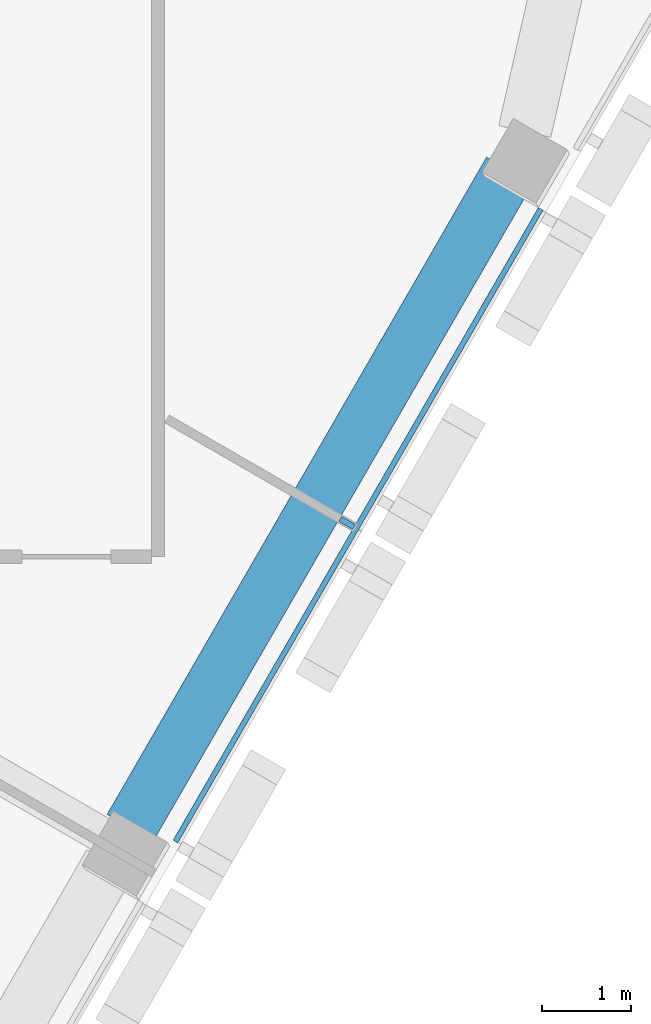
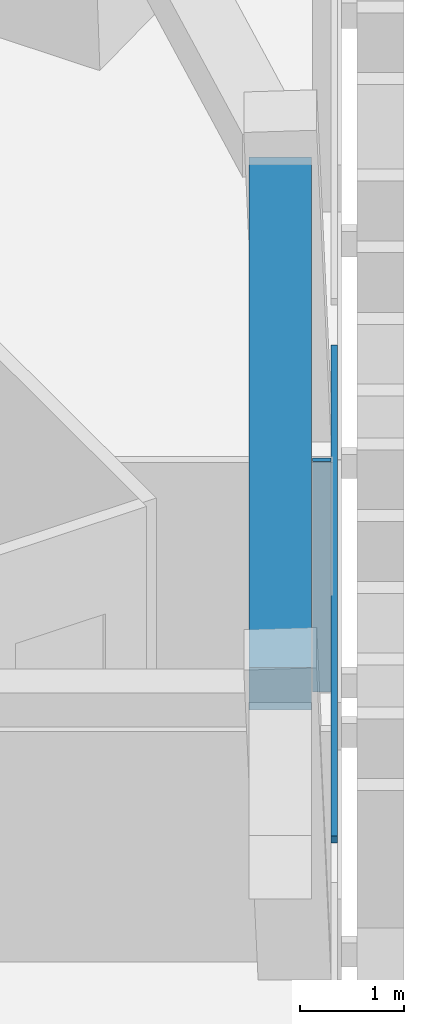
# One storey, part 4 of 12: 2 members, 1 beam, 1 element without a shape of its own.
"""IFC4 building model written with IfcOpenShell, lengths in metres."""

from ifc_helpers import new_model, si_unit, direction, frame, origin, origin_2d, place, context, subcontext, project, spatial, rectangle, extrude, material, layer, layer_set, material_profile, profile_set, type_object, element, aggregate, save


model = new_model("IFC4")

# Units and contexts
model_context = context("Model", 3, precision=1e-05, world=origin(), true_north=direction((0.0, 1.0)))
body_context = subcontext(model_context, "Body", "Model", "MODEL_VIEW")
ifc_project = project(units=[si_unit("LENGTHUNIT", "METRE"), si_unit("AREAUNIT", "SQUARE_METRE"), si_unit("VOLUMEUNIT", "CUBIC_METRE"), si_unit("PLANEANGLEUNIT", "RADIAN"), si_unit("MASSUNIT", "GRAM", prefix="KILO")], contexts=[model_context])

# Site, building, storey
site_placement = place(None, origin())
site = spatial("IfcSite", under=ifc_project, at=site_placement, CompositionType="ELEMENT")
building_placement = place(site_placement, origin())
building = spatial("IfcBuilding", under=site, at=building_placement, Name="Altiplano Prism Tower", CompositionType="ELEMENT")
storey_placement = place(building_placement, frame((0.0, 0.0, 278.800048828125)))
storey = spatial("IfcBuildingStorey", under=building, at=storey_placement, Name="L72", CompositionType="ELEMENT", Elevation=278.800048828125)

# Curtain wall, members
ifc_material_1 = material(Name="Aluminium and glass", Category="aluminium")
ifc_layer = layer(ifc_material_1, 0.280029296875)
ifc_layer_set = layer_set([ifc_layer], Name="Aluminium and glass")
curtain_wall_type = type_object("IfcCurtainWallType", Name="CW1 typical co-living unitised curtain wall", PredefinedType="NOTDEFINED", material=ifc_layer_set)
curtain_wall_placement = place(storey_placement, origin())
curtain_wall = element("IfcCurtainWall", 1, at=curtain_wall_placement, inside=storey, type_object=curtain_wall_type, Name="CW1 curtain wall south-east face L72", PredefinedType="NOTDEFINED")
ifc_material_2 = material(Name="Aluminium", Category="aluminium")
ifc_material_profile_1 = material_profile(ifc_material_2, rectangle(XDim=0.179931640625, YDim=0.06494140625, at=origin_2d()), Name="CW1 mullion 65 x 180")
ifc_profile_set_1 = profile_set([ifc_material_profile_1], Name="Aluminium")
member_type_1 = type_object("IfcMemberType", Name="CW1 mullion 65 x 180", PredefinedType="MULLION", material=ifc_profile_set_1)
member_1_placement = place(storey_placement, frame((101.92724609375, 91.079833984375, 0.0), z_axis=(0.0, 0.0, 1.0), x_axis=(-0.866025409151, 0.499999990704, 0.0)))
member_1 = element("IfcMember", 2, at=member_1_placement, type_object=member_type_1, Name="CW1 mullion", PredefinedType="MULLION", context=body_context, shape_type="SweptSolid", body=[
    extrude(rectangle(XDim=0.179931640625, YDim=0.06494140625, at=origin_2d()), origin(), (0.0, 0.0, 1.0), 2.699951171875),
])
ifc_material_profile_2 = material_profile(ifc_material_2, rectangle(XDim=0.06005859375, YDim=0.080078125, at=origin_2d()), Name="CW1 transom 80 x 60")
ifc_profile_set_2 = profile_set([ifc_material_profile_2], Name="Aluminium")
member_type_2 = type_object("IfcMemberType", Name="CW1 transom 80 x 60", PredefinedType="USERDEFINED", material=ifc_profile_set_2)
member_2_placement = place(storey_placement, frame((99.995849609375, 87.49462890625, 1.099853515625), z_axis=(0.499991554064, 0.866030279993, 0.0), x_axis=(-0.866030279993, 0.499991554064, 0.0)))
member_2 = element("IfcMember", 3, at=member_2_placement, type_object=member_type_2, Name="CW1 transom", ObjectType="TRANSOM", PredefinedType="USERDEFINED", context=body_context, shape_type="SweptSolid", body=[
    extrude(rectangle(XDim=0.06005859375, YDim=0.080078125, at=origin_2d()), origin(), (0.0, 0.0, 1.0), 8.219970703125),
])
aggregate(curtain_wall, [member_1, member_2])

# Beam
ifc_material_3 = material(Name="Concrete C60/75", Category="concrete")
ifc_material_profile_3 = material_profile(ifc_material_3, rectangle(XDim=0.60009765625, YDim=0.5, at=origin_2d()), Name="Edge beam 600x500")
ifc_profile_set_3 = profile_set([ifc_material_profile_3], Name="Concrete C60/75")
beam_type = type_object("IfcBeamType", Name="Edge beam 600x500", PredefinedType="SPANDREL", material=ifc_profile_set_3)
beam_placement = place(storey_placement, frame((99.487060546875, 87.650390625, 2.949951171875), z_axis=(0.500007039007, 0.866021339774, 0.0), x_axis=(-0.866021339774, 0.500007039007, 0.0)))
element("IfcBeam", 4, at=beam_placement, inside=storey, type_object=beam_type, Name="Edge beam P23-P24 L73", PredefinedType="SPANDREL", context=body_context, shape_type="SweptSolid", body=[
    extrude(rectangle(XDim=0.60009765625, YDim=0.5, at=origin_2d()), origin(), (0.0, 0.0, 1.0), 8.5400390625),
])

save(model, "model.ifc")
